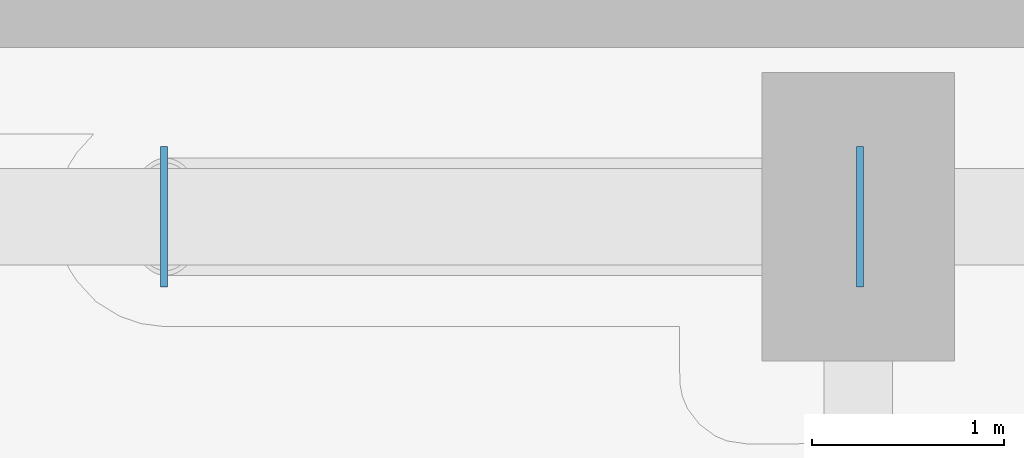
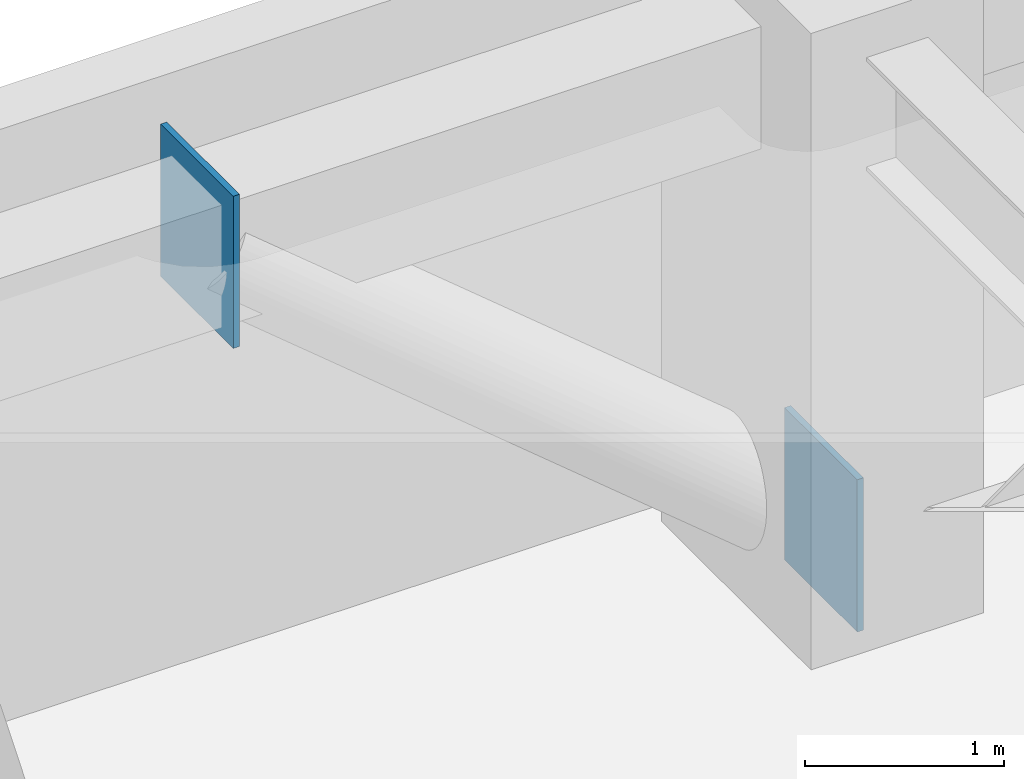
# One storey, part 21 of 29: 2 plates.
"""IFC4 building model written with IfcOpenShell, lengths in metres."""

from ifc_helpers import new_model, si_unit, direction, frame, origin, origin_2d, place, context, subcontext, project, spatial, rectangle, extrude, material, layer, layer_set, type_object, element, save


model = new_model("IFC4")

# Units and contexts
model_context = context("Model", 3, precision=1e-05, world=origin(), true_north=direction((0.0, 1.0)))
body_context = subcontext(model_context, "Body", "Model", "MODEL_VIEW")
ifc_project = project(units=[si_unit("LENGTHUNIT", "METRE"), si_unit("AREAUNIT", "SQUARE_METRE"), si_unit("VOLUMEUNIT", "CUBIC_METRE"), si_unit("PLANEANGLEUNIT", "RADIAN"), si_unit("MASSUNIT", "GRAM", prefix="KILO")], contexts=[model_context])

# Site, building, storey
site_placement = place(None, origin())
site = spatial("IfcSite", under=ifc_project, at=site_placement, CompositionType="ELEMENT")
building_placement = place(site_placement, origin())
building = spatial("IfcBuilding", under=site, at=building_placement, Name="Kiyonajd Concourse Tower", CompositionType="ELEMENT")
storey_placement = place(building_placement, frame((0.0, 0.0, 45.0)))
storey = spatial("IfcBuildingStorey", under=building, at=storey_placement, Name="L12", CompositionType="ELEMENT", Elevation=45.0)

# Plates
ifc_material = material(Name="Steel ASTM A572 Grade 50", Category="steel")
ifc_layer = layer(ifc_material, 0.028076171875)
ifc_layer_set = layer_set([ifc_layer], Name="Steel ASTM A572 Grade 50")
plate_type = type_object("IfcPlateType", Name="PL-CAP-450", PredefinedType="USERDEFINED", material=ifc_layer_set)
for number, where, z_axis, x_axis, name in (
    (1, (63.6083984375, 61.199951171875, -0.173583984375), (0.0, 0.0, 1.0), (1.0, 0.0, 0.0), "L12 Hollow Brace End Cap Plate PBN"),
    (2, (59.991455078125, 61.199951171875, 2.83056640625), (0.0, 0.0, 1.0), (-1.0, 0.0, 0.0), "L12 Hollow Brace Top Cap Plate PBN"),
):
    element("IfcPlate", number, at=place(storey_placement, frame(where, z_axis=z_axis, x_axis=x_axis)), inside=storey, type_object=plate_type, Name=name, ObjectType="CAP PLATE", PredefinedType="USERDEFINED", context=body_context, shape_type="SweptSolid", body=[
        extrude(rectangle(XDim=0.035888671875, YDim=0.72998046875, at=origin_2d()), origin(), (0.0, 0.0, 1.0), 0.93310546875),
    ])

save(model, "model.ifc")
